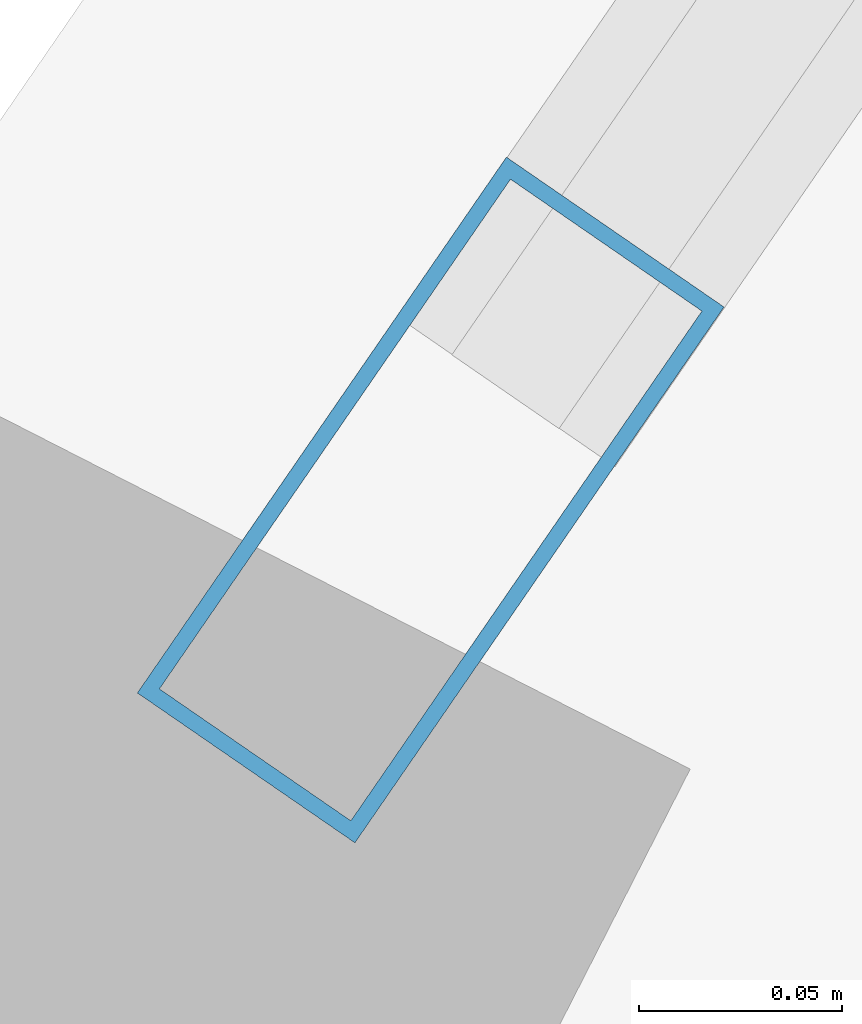
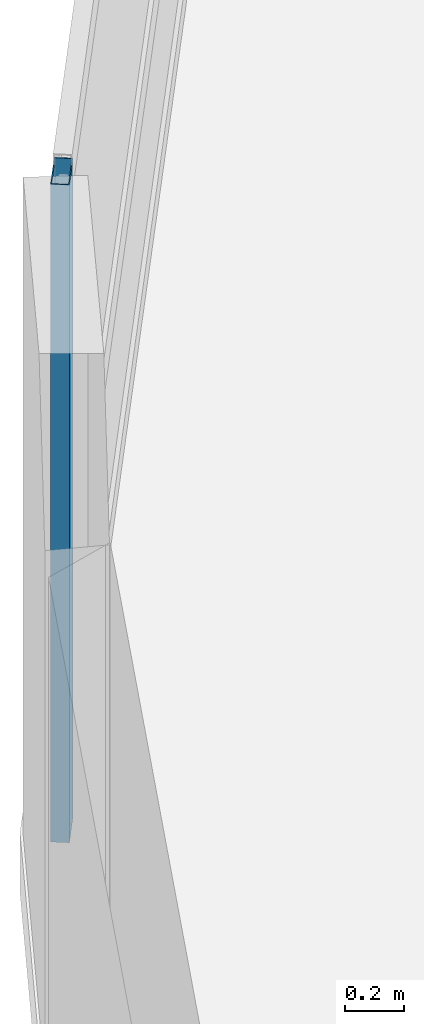
# One storey, part 2 of 25: 1 member, 1 element without a shape of its own.
"""IFC4 building model written with IfcOpenShell, lengths in metres."""

from ifc_helpers import new_model, si_unit, direction, frame, origin, origin_2d, place, context, subcontext, project, spatial, hollow_rectangle, extrude, material, layer, layer_set, material_profile, profile_set, type_object, element, aggregate, save


model = new_model("IFC4")

# Units and contexts
model_context = context("Model", 3, precision=1e-05, world=origin(), true_north=direction((0.0, 1.0)))
body_context = subcontext(model_context, "Body", "Model", "MODEL_VIEW")
ifc_project = project(units=[si_unit("LENGTHUNIT", "METRE"), si_unit("AREAUNIT", "SQUARE_METRE"), si_unit("VOLUMEUNIT", "CUBIC_METRE"), si_unit("PLANEANGLEUNIT", "RADIAN"), si_unit("MASSUNIT", "GRAM", prefix="KILO")], contexts=[model_context])

# Site, building, storey
site_placement = place(None, origin())
site = spatial("IfcSite", under=ifc_project, at=site_placement, CompositionType="ELEMENT")
building_placement = place(site_placement, origin())
building = spatial("IfcBuilding", under=site, at=building_placement, Name="Varnelok Gate Tower", CompositionType="ELEMENT")
storey_placement = place(building_placement, frame((0.0, 0.0, 49.199951171875)))
storey = spatial("IfcBuildingStorey", under=building, at=storey_placement, Name="L11", CompositionType="ELEMENT", Elevation=49.199951171875)

# Curtain wall, member
ifc_material = material(Name="Anodized Aluminum Alloy 6063-T6", Category="aluminium")
ifc_layer = layer(ifc_material, 0.179931640625)
ifc_layer_set = layer_set([ifc_layer], Name="Anodized Aluminum Alloy 6063-T6")
curtain_wall_type = type_object("IfcCurtainWallType", Name="CW3-HOTEL-VISION", PredefinedType="USERDEFINED", material=ifc_layer_set)
curtain_wall_placement = place(storey_placement, origin())
curtain_wall = element("IfcCurtainWall", 1, at=curtain_wall_placement, inside=storey, type_object=curtain_wall_type, Name="L11 West End Vision Curtain Wall", ObjectType="UNITISED CURTAIN WALL", PredefinedType="USERDEFINED")
ifc_material_profile = material_profile(ifc_material, hollow_rectangle(XDim=0.06494140625, YDim=0.159912109375, WallThickness=0.00390625, at=origin_2d()), Name="ALU160X65X4")
ifc_profile_set = profile_set([ifc_material_profile], Name="Anodized Aluminum Alloy 6063-T6")
member_type = type_object("IfcMemberType", Name="CW-MULL-160", PredefinedType="MULLION", material=ifc_profile_set)
member_placement = place(storey_placement, frame((-4.1240234375, 31.2607421875, 0.0), z_axis=(0.0, 0.0, 1.0), x_axis=(-0.823532685111, 0.567268822124, 0.0)))
member = element("IfcMember", 2, at=member_placement, type_object=member_type, Name="CW3 mullion 1", PredefinedType="MULLION", context=body_context, shape_type="SweptSolid", body=[
    extrude(hollow_rectangle(XDim=0.06494140625, YDim=0.159912109375, WallThickness=0.00390625, at=origin_2d()), origin(), (0.0, 0.0, 1.0), 2.72998046875),
])
aggregate(curtain_wall, [member])

save(model, "model.ifc")
